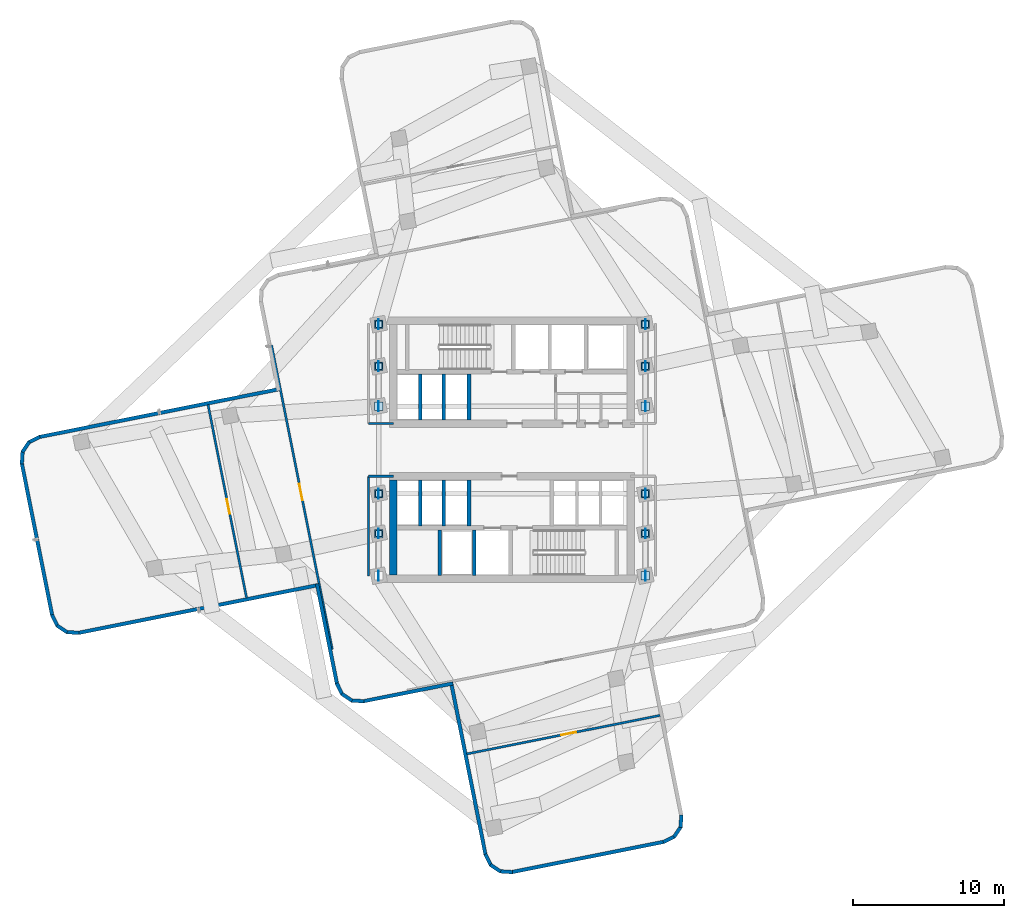
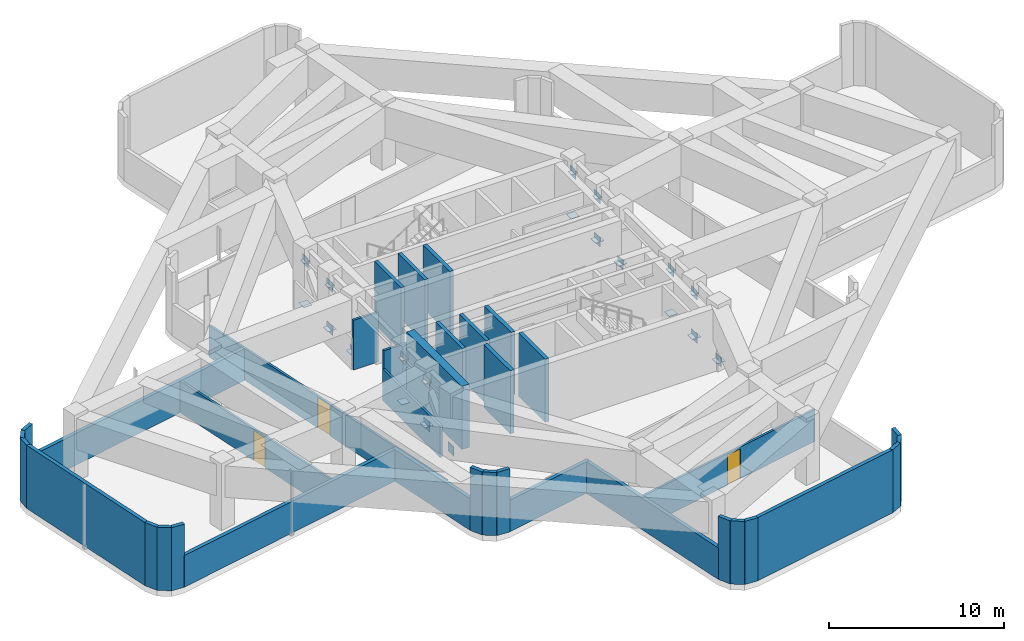
# One storey, part 3 of 7: 37 walls, 35 plates, 3 doors, 3 openings.
"""IFC4 building model written with IfcOpenShell, lengths in metres."""

from ifc_helpers import new_model, si_unit, direction, frame, frame_2d, origin, origin_2d, place, context, subcontext, project, spatial, rectangle, extrude, material, layer, layer_set, type_object, element, fill, save


model = new_model("IFC4")

# Units and contexts
model_context = context("Model", 3, precision=1e-05, world=origin(), true_north=direction((0.0, 1.0)))
body_context = subcontext(model_context, "Body", "Model", "MODEL_VIEW")
ifc_project = project(units=[si_unit("LENGTHUNIT", "METRE"), si_unit("AREAUNIT", "SQUARE_METRE"), si_unit("VOLUMEUNIT", "CUBIC_METRE"), si_unit("PLANEANGLEUNIT", "RADIAN"), si_unit("MASSUNIT", "GRAM", prefix="KILO")], contexts=[model_context])

# Site, building, storey
site_placement = place(None, origin())
site = spatial("IfcSite", under=ifc_project, at=site_placement, CompositionType="ELEMENT")
building_placement = place(site_placement, origin())
building = spatial("IfcBuilding", under=site, at=building_placement, Name="Solmarez Civic Tower", CompositionType="ELEMENT")
storey_placement = place(building_placement, frame((0.0, 0.0, 107.280029296875)))
storey = spatial("IfcBuildingStorey", under=building, at=storey_placement, Name="L28", CompositionType="ELEMENT", Elevation=107.280029296875)

# Plates
ifc_material_1 = material(Name="Steel S355", Category="steel")
ifc_layer_1 = layer(ifc_material_1, 0.02392578125)
ifc_layer_set_1 = layer_set([ifc_layer_1], Name="Steel S355")
plate_type_1 = type_object("IfcPlateType", Name="PLT-CAP-380", PredefinedType="USERDEFINED", material=ifc_layer_set_1)
for number, where, z_axis, x_axis, name in (
    (1, (-8.85009765625, -5.550048828125, 3.35791015625), (0.0, 0.0, 1.0), (1.0, 0.0, 0.0), "Steel Member End Cap Plate CAP-BRC-L28-01-1"),
    (2, (-8.85009765625, -2.89990234375, 3.35791015625), (0.0, 0.0, 1.0), (1.0, 0.0, 0.0), "Steel Member End Cap Plate CAP-BRC-L28-02-1"),
    (3, (-8.85009765625, 5.550048828125, 3.35791015625), (0.0, 0.0, 1.0), (1.0, 0.0, 0.0), "Steel Member End Cap Plate CAP-BRC-L28-03-1"),
    (4, (-8.85009765625, 8.35009765625, 3.35791015625), (0.0, 0.0, 1.0), (1.0, 0.0, 0.0), "Steel Member End Cap Plate CAP-BRC-L28-04-1"),
    (5, (8.85009765625, -5.550048828125, 3.35791015625), (0.0, 0.0, 1.0), (1.0, 0.0, 0.0), "Steel Member End Cap Plate CAP-BRC-L28-05-1"),
    (6, (8.85009765625, -2.89990234375, 3.35791015625), (0.0, 0.0, 1.0), (1.0, 0.0, 0.0), "Steel Member End Cap Plate CAP-BRC-L28-06-1"),
    (7, (8.85009765625, 5.550048828125, 3.35791015625), (0.0, 0.0, 1.0), (1.0, 0.0, 0.0), "Steel Member End Cap Plate CAP-BRC-L28-07-1"),
    (8, (8.85009765625, 8.35009765625, 3.35791015625), (0.0, 0.0, 1.0), (1.0, 0.0, 0.0), "Steel Member End Cap Plate CAP-BRC-L28-08-1"),
):
    element("IfcPlate", number, at=place(storey_placement, frame(where, z_axis=z_axis, x_axis=x_axis)), inside=storey, type_object=plate_type_1, Name=name, ObjectType="CAP_PLATE", PredefinedType="USERDEFINED", context=body_context, shape_type="SweptSolid", body=[
        extrude(rectangle(XDim=0.419921875, YDim=0.419921875, at=origin_2d()), origin(), (0.0, 0.0, 1.0), 0.02392578125),
    ])
ifc_layer_2 = layer(ifc_material_1, 0.028076171875)
ifc_layer_set_2 = layer_set([ifc_layer_2], Name="Steel S355")
plate_type_2 = type_object("IfcPlateType", Name="PLT-CAP-540", PredefinedType="USERDEFINED", material=ifc_layer_set_2)
for number, where, z_axis, x_axis, name in (
    (9, (-8.85009765625, -5.550048828125, 0.3359375), (0.0, 0.0, 1.0), (1.0, 0.0, 0.0), "Steel Member End Cap Plate CAP-CHD-L28-01-1"),
    (10, (-8.85009765625, -2.89990234375, 0.3359375), (0.0, 0.0, 1.0), (1.0, 0.0, 0.0), "Steel Member End Cap Plate CAP-CHD-L28-02-1"),
    (11, (-8.85009765625, 2.89990234375, 0.3359375), (0.0, 0.0, 1.0), (1.0, 0.0, 0.0), "Steel Member End Cap Plate CAP-CHD-L28-03-0"),
    (12, (-8.85009765625, 5.550048828125, 0.3359375), (0.0, 0.0, 1.0), (1.0, 0.0, 0.0), "Steel Member End Cap Plate CAP-CHD-L28-03-1"),
    (13, (-8.85009765625, 8.35009765625, 0.3359375), (0.0, 0.0, 1.0), (1.0, 0.0, 0.0), "Steel Member End Cap Plate CAP-CHD-L28-04-1"),
    (14, (8.85009765625, -8.35009765625, 0.3359375), (0.0, 0.0, 1.0), (1.0, 0.0, 0.0), "Steel Member End Cap Plate CAP-CHD-L28-05-0"),
    (15, (8.85009765625, -5.550048828125, 0.3359375), (0.0, 0.0, 1.0), (1.0, 0.0, 0.0), "Steel Member End Cap Plate CAP-CHD-L28-05-1"),
    (16, (8.85009765625, -2.89990234375, 0.3359375), (0.0, 0.0, 1.0), (1.0, 0.0, 0.0), "Steel Member End Cap Plate CAP-CHD-L28-06-1"),
    (17, (8.85009765625, 2.89990234375, 0.3359375), (0.0, 0.0, 1.0), (1.0, 0.0, 0.0), "Steel Member End Cap Plate CAP-CHD-L28-07-0"),
    (18, (8.85009765625, 5.550048828125, 0.3359375), (0.0, 0.0, 1.0), (1.0, 0.0, 0.0), "Steel Member End Cap Plate CAP-CHD-L28-07-1"),
    (19, (8.85009765625, 8.35009765625, 0.3359375), (0.0, 0.0, 1.0), (1.0, 0.0, 0.0), "Steel Member End Cap Plate CAP-CHD-L28-08-1"),
):
    element("IfcPlate", number, at=place(storey_placement, frame(where, z_axis=z_axis, x_axis=x_axis)), inside=storey, type_object=plate_type_2, Name=name, ObjectType="CAP_PLATE", PredefinedType="USERDEFINED", context=body_context, shape_type="SweptSolid", body=[
        extrude(rectangle(XDim=0.56005859375, YDim=0.56005859375, at=origin_2d()), origin(), (0.0, 0.0, 1.0), 0.028076171875),
    ])
ifc_layer_3 = layer(ifc_material_1, 0.031982421875)
ifc_layer_set_3 = layer_set([ifc_layer_3], Name="Steel S355")
plate_type_3 = type_object("IfcPlateType", Name="PLT-GUSSET-32", PredefinedType="USERDEFINED", material=ifc_layer_set_3)
for number, where, z_axis, x_axis, name in (
    (20, (-8.85009765625, -8.35009765625, 0.02490234375), (0.0, 0.0, 1.0), (0.0, 1.0, 0.0), "L28 Structural Gusset Plate GUS-L28-01-0"),
    (21, (-8.85009765625, -5.550048828125, 3.044921875), (0.0, 0.0, 1.0), (0.0, 1.0, 0.0), "L28 Structural Gusset Plate GUS-L28-01-1"),
    (22, (-8.85009765625, -5.550048828125, 0.02490234375), (0.0, 0.0, 1.0), (0.0, 1.0, 0.0), "L28 Structural Gusset Plate GUS-L28-02-0"),
    (23, (-8.85009765625, -2.89990234375, 3.044921875), (0.0, 0.0, 1.0), (0.0, 1.0, 0.0), "L28 Structural Gusset Plate GUS-L28-02-1"),
    (24, (-8.85009765625, 2.89990234375, 0.02490234375), (0.0, 0.0, 1.0), (0.0, 1.0, 0.0), "L28 Structural Gusset Plate GUS-L28-03-0"),
    (25, (-8.85009765625, 5.550048828125, 3.044921875), (0.0, 0.0, 1.0), (0.0, 1.0, 0.0), "L28 Structural Gusset Plate GUS-L28-03-1"),
    (26, (-8.85009765625, 5.550048828125, 0.02490234375), (0.0, 0.0, 1.0), (0.0, 1.0, 0.0), "L28 Structural Gusset Plate GUS-L28-04-0"),
    (27, (-8.85009765625, 8.35009765625, 3.044921875), (0.0, 0.0, 1.0), (0.0, 1.0, 0.0), "L28 Structural Gusset Plate GUS-L28-04-1"),
    (28, (8.85009765625, -8.35009765625, 0.02490234375), (0.0, 0.0, 1.0), (0.0, 1.0, 0.0), "L28 Structural Gusset Plate GUS-L28-05-0"),
    (29, (8.85009765625, -5.550048828125, 3.044921875), (0.0, 0.0, 1.0), (0.0, 1.0, 0.0), "L28 Structural Gusset Plate GUS-L28-05-1"),
    (30, (8.85009765625, -5.550048828125, 0.02490234375), (0.0, 0.0, 1.0), (0.0, 1.0, 0.0), "L28 Structural Gusset Plate GUS-L28-06-0"),
    (31, (8.85009765625, -2.89990234375, 3.044921875), (0.0, 0.0, 1.0), (0.0, 1.0, 0.0), "L28 Structural Gusset Plate GUS-L28-06-1"),
    (32, (8.85009765625, 2.89990234375, 0.02490234375), (0.0, 0.0, 1.0), (0.0, 1.0, 0.0), "L28 Structural Gusset Plate GUS-L28-07-0"),
    (33, (8.85009765625, 5.550048828125, 3.044921875), (0.0, 0.0, 1.0), (0.0, 1.0, 0.0), "L28 Structural Gusset Plate GUS-L28-07-1"),
    (34, (8.85009765625, 5.550048828125, 0.02490234375), (0.0, 0.0, 1.0), (0.0, 1.0, 0.0), "L28 Structural Gusset Plate GUS-L28-08-0"),
    (35, (8.85009765625, 8.35009765625, 3.044921875), (0.0, 0.0, 1.0), (0.0, 1.0, 0.0), "L28 Structural Gusset Plate GUS-L28-08-1"),
):
    element("IfcPlate", number, at=place(storey_placement, frame(where, z_axis=z_axis, x_axis=x_axis)), inside=storey, type_object=plate_type_3, Name=name, ObjectType="GUSSET_PLATE", PredefinedType="USERDEFINED", context=body_context, shape_type="SweptSolid", body=[
        extrude(rectangle(XDim=0.64990234375, YDim=0.031982421875, at=origin_2d()), origin(), (0.0, 0.0, 1.0), 0.64990234375),
    ])

# Walls
ifc_material_2 = material(Name="Concrete C60/75", Category="concrete")
ifc_layer_4 = layer(ifc_material_2, 0.5)
ifc_layer_set_4 = layer_set([ifc_layer_4], Name="Concrete C60/75")
wall_type_1 = type_object("IfcWallType", Name="WALL-CORE-500", PredefinedType="SHEAR", material=ifc_layer_set_4)
wall_1_placement = place(storey_placement, frame((-7.8701171875, -8.31005859375, 0.0), z_axis=(0.0, 0.0, 1.0), x_axis=(0.0, 1.0, 0.0)))
element("IfcWall", 36, at=wall_1_placement, inside=storey, type_object=wall_type_1, Name="L28 Split-Core Structural Wall SCW-W-L28", PredefinedType="SHEAR", context=body_context, shape_type="SweptSolid", body=[
    extrude(rectangle(XDim=6.31005859375, YDim=0.5, at=frame_2d((3.155029296875, 0.0))), origin(), (0.0, 0.0, 1.0), 4.419921875),
])
ifc_material_3 = material(Name="Precast concrete C40/50", Category="concrete")
ifc_layer_5 = layer(ifc_material_3, 0.239990234375)
ifc_layer_set_5 = layer_set([ifc_layer_5], Name="Precast concrete C40/50")
wall_type_2 = type_object("IfcWallType", Name="WALL-EXT-240", PredefinedType="SOLIDWALL", material=ifc_layer_set_5)
wall_2_placement = place(storey_placement, frame((-12.8291015625, -8.9619140625, 0.0), z_axis=(0.0, 0.0, 1.0), x_axis=(-0.980676331544, -0.195637247858, 0.0)))
element("IfcWall", 37, at=wall_2_placement, inside=storey, type_object=wall_type_2, Name="L28 Exterior Precast Wall 2", PredefinedType="SOLIDWALL", context=body_context, shape_type="SweptSolid", body=[
    extrude(rectangle(XDim=16.275390625, YDim=0.239990234375, at=frame_2d((8.1376953125, 0.0))), origin(), (0.0, 0.0, 1.0), 2.2119140625),
])
wall_3_placement = place(storey_placement, frame((-28.739990234375, -12.14306640625, 0.0), z_axis=(0.0, 0.0, 1.0), x_axis=(-0.997792951373, 0.06640200442, 0.0)))
element("IfcWall", 38, at=wall_3_placement, inside=storey, type_object=wall_type_2, Name="L28 Exterior Precast Wall 3", PredefinedType="SOLIDWALL", context=body_context, shape_type="SweptSolid", body=[
    extrude(rectangle(XDim=0.8310546875, YDim=0.239990234375, at=frame_2d((0.41552734375, 0.0))), origin(), (0.0, 0.0, 1.0), 4.419921875),
])
wall_4_placement = place(storey_placement, frame((-29.52294921875, -12.10400390625, 0.0), z_axis=(0.0, 0.0, 1.0), x_axis=(-0.831727143475, 0.555184616867, 0.0)))
element("IfcWall", 39, at=wall_4_placement, inside=storey, type_object=wall_type_2, Name="L28 Exterior Precast Wall 4", PredefinedType="SOLIDWALL", context=body_context, shape_type="SweptSolid", body=[
    extrude(rectangle(XDim=0.81396484375, YDim=0.239990234375, at=frame_2d((0.406982421875, 0.0))), origin(), (0.0, 0.0, 1.0), 4.419921875),
])
wall_5_placement = place(storey_placement, frame((-30.16796875, -11.68798828125, 0.0), z_axis=(0.0, 0.0, 1.0), x_axis=(-0.443794266413, 0.896128701191, 0.0)))
element("IfcWall", 40, at=wall_5_placement, inside=storey, type_object=wall_type_2, Name="L28 Exterior Precast Wall 5", PredefinedType="SOLIDWALL", context=body_context, shape_type="SweptSolid", body=[
    extrude(rectangle(XDim=0.8291015625, YDim=0.239990234375, at=frame_2d((0.41455078125, 0.0))), origin(), (0.0, 0.0, 1.0), 4.419921875),
])
wall_6_placement = place(storey_placement, frame((-30.52001953125, -10.991943359375, 0.0), z_axis=(0.0, 0.0, 1.0), x_axis=(-0.195565576703, 0.980690626655, 0.0)))
element("IfcWall", 41, at=wall_6_placement, inside=storey, type_object=wall_type_2, Name="L28 Exterior Precast Wall 6", PredefinedType="SOLIDWALL", context=body_context, shape_type="SweptSolid", body=[
    extrude(rectangle(XDim=10.319091796875, YDim=0.239990234375, at=frame_2d((5.15966796875, 0.0))), origin(), (0.0, 0.0, 1.0), 4.419921875),
])
wall_7_placement = place(storey_placement, frame((-32.534912109375, -0.922119140625, 0.0), z_axis=(0.0, 0.0, 1.0), x_axis=(0.066109477186, 0.997812375663, 0.0)))
element("IfcWall", 42, at=wall_7_placement, inside=storey, type_object=wall_type_2, Name="L28 Exterior Precast Wall 7", PredefinedType="SOLIDWALL", context=body_context, shape_type="SweptSolid", body=[
    extrude(rectangle(XDim=0.830810546875, YDim=0.239990234375, at=frame_2d((0.41552734375, 0.0))), origin(), (0.0, 0.0, 1.0), 4.419921875),
])
wall_8_placement = place(storey_placement, frame((-32.49609375, -0.138916015625, 0.0), z_axis=(0.0, 0.0, 1.0), x_axis=(0.555392052936, 0.831588640817, 0.0)))
element("IfcWall", 43, at=wall_8_placement, inside=storey, type_object=wall_type_2, Name="L28 Exterior Precast Wall 8", PredefinedType="SOLIDWALL", context=body_context, shape_type="SweptSolid", body=[
    extrude(rectangle(XDim=0.814208984375, YDim=0.239990234375, at=frame_2d((0.4072265625, 0.0))), origin(), (0.0, 0.0, 1.0), 4.419921875),
])
wall_9_placement = place(storey_placement, frame((-32.080078125, 0.506103515625, 0.0), z_axis=(0.0, 0.0, 1.0), x_axis=(0.896186678749, 0.443677176371, 0.0)))
element("IfcWall", 44, at=wall_9_placement, inside=storey, type_object=wall_type_2, Name="L28 Exterior Precast Wall 9", PredefinedType="SOLIDWALL", context=body_context, shape_type="SweptSolid", body=[
    extrude(rectangle(XDim=0.829345703125, YDim=0.239990234375, at=frame_2d((0.41455078125, 0.0))), origin(), (0.0, 0.0, 1.0), 4.419921875),
])
wall_10_placement = place(storey_placement, frame((-31.384033203125, 0.85791015625, 0.0), z_axis=(0.0, 0.0, 1.0), x_axis=(0.980678627862, 0.195625736687, 0.0)))
element("IfcWall", 45, at=wall_10_placement, inside=storey, type_object=wall_type_2, Name="L28 Exterior Precast Wall 10", PredefinedType="SOLIDWALL", context=body_context, shape_type="SweptSolid", body=[
    extrude(rectangle(XDim=16.2763671875, YDim=0.239990234375, at=frame_2d((8.13818359375, 0.0))), origin(), (0.0, 0.0, 1.0), 2.2119140625),
])
wall_11_placement = place(storey_placement, frame((11.242919921875, -24.22900390625, 0.0), z_axis=(0.0, 0.0, 1.0), x_axis=(-0.06503454612, -0.997883013089, 0.0)))
element("IfcWall", 46, at=wall_11_placement, inside=storey, type_object=wall_type_2, Name="L28 Exterior Precast Wall 57", PredefinedType="SOLIDWALL", context=body_context, shape_type="SweptSolid", body=[
    extrude(rectangle(XDim=0.82958984375, YDim=0.239990234375, at=frame_2d((0.414794921875, 0.0))), origin(), (0.0, 0.0, 1.0), 4.419921875),
])
wall_12_placement = place(storey_placement, frame((11.205078125, -25.010986328125, 0.0), z_axis=(0.0, 0.0, 1.0), x_axis=(-0.55483846032, -0.831958101679, 0.0)))
element("IfcWall", 47, at=wall_12_placement, inside=storey, type_object=wall_type_2, Name="L28 Exterior Precast Wall 58", PredefinedType="SOLIDWALL", context=body_context, shape_type="SweptSolid", body=[
    extrude(rectangle(XDim=0.81494140625, YDim=0.239990234375, at=frame_2d((0.407470703125, 0.0))), origin(), (0.0, 0.0, 1.0), 4.419921875),
])
wall_13_placement = place(storey_placement, frame((10.7890625, -25.656982421875, 0.0), z_axis=(0.0, 0.0, 1.0), x_axis=(-0.896885260774, -0.442263302803, 0.0)))
element("IfcWall", 48, at=wall_13_placement, inside=storey, type_object=wall_type_2, Name="L28 Exterior Precast Wall 59", PredefinedType="SOLIDWALL", context=body_context, shape_type="SweptSolid", body=[
    extrude(rectangle(XDim=0.82958984375, YDim=0.239990234375, at=frame_2d((0.414794921875, 0.0))), origin(), (0.0, 0.0, 1.0), 4.419921875),
])
wall_14_placement = place(storey_placement, frame((10.092041015625, -26.008056640625, 0.0), z_axis=(0.0, 0.0, 1.0), x_axis=(-0.980673378221, -0.195652051479, 0.0)))
element("IfcWall", 49, at=wall_14_placement, inside=storey, type_object=wall_type_2, Name="L28 Exterior Precast Wall 60", PredefinedType="SOLIDWALL", context=body_context, shape_type="SweptSolid", body=[
    extrude(rectangle(XDim=10.319580078125, YDim=0.239990234375, at=frame_2d((5.15966796875, 0.0))), origin(), (0.0, 0.0, 1.0), 4.419921875),
])
wall_15_placement = place(storey_placement, frame((0.02197265625, -28.02392578125, 0.0), z_axis=(0.0, 0.0, 1.0), x_axis=(-0.997811090969, 0.066128864644, 0.0)))
element("IfcWall", 50, at=wall_15_placement, inside=storey, type_object=wall_type_2, Name="L28 Exterior Precast Wall 61", PredefinedType="SOLIDWALL", context=body_context, shape_type="SweptSolid", body=[
    extrude(rectangle(XDim=0.83056640625, YDim=0.239990234375, at=frame_2d((0.415283203125, 0.0))), origin(), (0.0, 0.0, 1.0), 4.419921875),
])
wall_16_placement = place(storey_placement, frame((-0.760986328125, -27.985107421875, 0.0), z_axis=(0.0, 0.0, 1.0), x_axis=(-0.831588640817, 0.555392052936, 0.0)))
element("IfcWall", 51, at=wall_16_placement, inside=storey, type_object=wall_type_2, Name="L28 Exterior Precast Wall 62", PredefinedType="SOLIDWALL", context=body_context, shape_type="SweptSolid", body=[
    extrude(rectangle(XDim=0.814208984375, YDim=0.239990234375, at=frame_2d((0.4072265625, 0.0))), origin(), (0.0, 0.0, 1.0), 4.419921875),
])
wall_17_placement = place(storey_placement, frame((-1.406005859375, -27.569091796875, 0.0), z_axis=(0.0, 0.0, 1.0), x_axis=(-0.443677176371, 0.896186678749, 0.0)))
element("IfcWall", 52, at=wall_17_placement, inside=storey, type_object=wall_type_2, Name="L28 Exterior Precast Wall 63", PredefinedType="SOLIDWALL", context=body_context, shape_type="SweptSolid", body=[
    extrude(rectangle(XDim=0.829345703125, YDim=0.239990234375, at=frame_2d((0.41455078125, 0.0))), origin(), (0.0, 0.0, 1.0), 4.419921875),
])
wall_18_placement = place(storey_placement, frame((-1.758056640625, -26.873046875, 0.0), z_axis=(0.0, 0.0, 1.0), x_axis=(-0.195601431005, 0.980683476046, 0.0)))
element("IfcWall", 53, at=wall_18_placement, inside=storey, type_object=wall_type_2, Name="L28 Exterior Precast Wall 64", PredefinedType="SOLIDWALL", context=body_context, shape_type="SweptSolid", body=[
    extrude(rectangle(XDim=11.676513671875, YDim=0.239990234375, at=frame_2d((5.83837890625, 0.0))), origin(), (0.0, 0.0, 1.0), 2.2119140625),
])
wall_19_placement = place(storey_placement, frame((-3.928955078125, -15.4970703125, 0.0), z_axis=(0.0, 0.0, 1.0), x_axis=(-0.98066404714, -0.19569881616, 0.0)))
element("IfcWall", 54, at=wall_19_placement, inside=storey, type_object=wall_type_2, Name="L28 Exterior Precast Wall 67", PredefinedType="SOLIDWALL", context=body_context, shape_type="SweptSolid", body=[
    extrude(rectangle(XDim=6.075439453125, YDim=0.239990234375, at=frame_2d((3.03759765625, 0.0))), origin(), (0.0, 0.0, 1.0), 2.2119140625),
])
wall_20_placement = place(storey_placement, frame((-9.8369140625, -16.68310546875, 0.0), z_axis=(0.0, 0.0, 1.0), x_axis=(-0.997865128267, 0.065308389881, 0.0)))
element("IfcWall", 55, at=wall_20_placement, inside=storey, type_object=wall_type_2, Name="L28 Exterior Precast Wall 68", PredefinedType="SOLIDWALL", context=body_context, shape_type="SweptSolid", body=[
    extrude(rectangle(XDim=0.829833984375, YDim=0.239990234375, at=frame_2d((0.4150390625, 0.0))), origin(), (0.0, 0.0, 1.0), 4.419921875),
])
wall_21_placement = place(storey_placement, frame((-10.618896484375, -16.64501953125, 0.0), z_axis=(0.0, 0.0, 1.0), x_axis=(-0.832188528756, 0.554492788598, 0.0)))
element("IfcWall", 56, at=wall_21_placement, inside=storey, type_object=wall_type_2, Name="L28 Exterior Precast Wall 69", PredefinedType="SOLIDWALL", context=body_context, shape_type="SweptSolid", body=[
    extrude(rectangle(XDim=0.81494140625, YDim=0.239990234375, at=frame_2d((0.407470703125, 0.0))), origin(), (0.0, 0.0, 1.0), 4.419921875),
])
wall_22_placement = place(storey_placement, frame((-11.264892578125, -16.22900390625, 0.0), z_axis=(0.0, 0.0, 1.0), x_axis=(-0.442616732824, 0.896710894226, 0.0)))
element("IfcWall", 57, at=wall_22_placement, inside=storey, type_object=wall_type_2, Name="L28 Exterior Precast Wall 70", PredefinedType="SOLIDWALL", context=body_context, shape_type="SweptSolid", body=[
    extrude(rectangle(XDim=0.82958984375, YDim=0.239990234375, at=frame_2d((0.414794921875, 0.0))), origin(), (0.0, 0.0, 1.0), 4.419921875),
])
wall_23_placement = place(storey_placement, frame((-11.615966796875, -15.531982421875, 0.0), z_axis=(0.0, 0.0, 1.0), x_axis=(-0.195679596911, 0.980667882289, 0.0)))
element("IfcWall", 58, at=wall_23_placement, inside=storey, type_object=wall_type_2, Name="L28 Exterior Precast Wall 71", PredefinedType="SOLIDWALL", context=body_context, shape_type="SweptSolid", body=[
    extrude(rectangle(XDim=6.776123046875, YDim=0.239990234375, at=frame_2d((3.38818359375, 0.0))), origin(), (0.0, 0.0, 1.0), 2.2119140625),
])
ifc_material_4 = material(Name="Gypsum Board Acoustic Steel-Stud Partition", Category="steel")
ifc_layer_6 = layer(ifc_material_4, 0.14990234375)
ifc_layer_set_6 = layer_set([ifc_layer_6], Name="Gypsum Board Acoustic Steel-Stud Partition")
wall_type_3 = type_object("IfcWallType", Name="WALL-INT-FIRE-150", PredefinedType="PARTITIONING", material=ifc_layer_set_6)
wall_24_placement = place(storey_placement, frame((-7.85009765625, 1.75, 0.0), z_axis=(0.0, 0.0, 1.0), x_axis=(-1.0, 0.0, 0.0)))
element("IfcWall", 59, at=wall_24_placement, inside=storey, type_object=wall_type_3, Name="L28 Interior Partition CHW-L28-WN3", PredefinedType="PARTITIONING", context=body_context, shape_type="SweptSolid", body=[
    extrude(rectangle(XDim=1.669921875, YDim=0.14990234375, at=frame_2d((0.8349609375, 0.0))), origin(), (0.0, 0.0, 1.0), 3.48486328125),
])
wall_25_placement = place(storey_placement, frame((-9.52001953125, -8.3798828125, 0.0), z_axis=(0.0, 0.0, 1.0), x_axis=(0.0, 1.0, 0.0)))
element("IfcWall", 60, at=wall_25_placement, inside=storey, type_object=wall_type_3, Name="L28 Interior Partition CHW-L28-WS1", PredefinedType="PARTITIONING", context=body_context, shape_type="SweptSolid", body=[
    extrude(rectangle(XDim=6.6298828125, YDim=0.14990234375, at=frame_2d((3.31494140625, 0.0))), origin(), (0.0, 0.0, 1.0), 2.2119140625),
])
wall_26_placement = place(storey_placement, frame((-7.85009765625, -1.75, 0.0), z_axis=(0.0, 0.0, 1.0), x_axis=(-1.0, 0.0, 0.0)))
element("IfcWall", 61, at=wall_26_placement, inside=storey, type_object=wall_type_3, Name="L28 Interior Partition CHW-L28-WS3", PredefinedType="PARTITIONING", context=body_context, shape_type="SweptSolid", body=[
    extrude(rectangle(XDim=1.669921875, YDim=0.14990234375, at=frame_2d((0.8349609375, 0.0))), origin(), (0.0, 0.0, 1.0), 3.48486328125),
])

# Wall, opening, door
wall_27_placement = place(storey_placement, frame((9.8310546875, -17.616943359375, 0.0), z_axis=(0.0, 0.0, 1.0), x_axis=(-0.980674534157, -0.195646257456, 0.0)))
wall_27 = element("IfcWall", 62, at=wall_27_placement, inside=storey, type_object=wall_type_3, Name="L28 Interior Partition PT-L28-S-MID", PredefinedType="PARTITIONING", context=body_context, shape_type="SweptSolid", body=[
    extrude(rectangle(XDim=13.090087890625, YDim=0.14990234375, at=frame_2d((6.544921875, 0.0))), origin(), (0.0, 0.0, 1.0), 2.2119140625),
])
opening_1_placement = place(wall_27_placement, frame((5.695068359375, 0.0, 0.0)))
opening_1 = element("IfcOpeningElement", 63, at=opening_1_placement, cuts=wall_27, Name="Opening D-04", PredefinedType="OPENING", context=body_context, shape_type="SweptSolid", body=[
    extrude(rectangle(XDim=1.0, YDim=2.10009765625, at=frame_2d((0.5, 1.050048828125))), frame((0.0, 0.0849609375, 0.0), z_axis=(0.0, -1.0, 0.0), x_axis=(1.0, 0.0, 0.0)), (0.0, 0.0, 1.0), 0.169921875),
])
ifc_material_5 = material(Name="Steel-Faced Acoustic Fire Door", Category="steel")
door_type_1 = type_object("IfcDoorType", Name="DOOR-FD60-1000", OperationType="NOTDEFINED", PredefinedType="DOOR", material=ifc_material_5)
door_1_placement = place(opening_1_placement, origin())
door_1 = element("IfcDoor", 64, at=door_1_placement, inside=storey, type_object=door_type_1, Name="L28 Belt Truss Mechanical Plant Room Door", OperationType="SINGLE_SWING_RIGHT", OverallHeight=2.10009765625, OverallWidth=1.0, PredefinedType="DOOR", context=body_context, shape_type="SweptSolid", body=[
    extrude(rectangle(XDim=1.0, YDim=2.10009765625, at=frame_2d((0.5, 1.050048828125))), frame((0.0, 0.02490234375, 0.0), z_axis=(0.0, -1.0, 0.0), x_axis=(1.0, 0.0, 0.0)), (0.0, 0.0, 1.0), 0.050048828125),
])
fill(opening_1, door_1)

wall_28_placement = place(storey_placement, frame((-11.930908203125, -13.239990234375, 0.0), z_axis=(0.0, 0.0, 1.0), x_axis=(-0.19557824927, 0.980688099455, 0.0)))
wall_28 = element("IfcWall", 65, at=wall_28_placement, inside=storey, type_object=wall_type_3, Name="L28 Interior Partition PT-L28-W-ENT", PredefinedType="PARTITIONING", context=body_context, shape_type="SweptSolid", body=[
    extrude(rectangle(XDim=20.600830078125, YDim=0.14990234375, at=frame_2d((10.30029296875, 0.0))), origin(), (0.0, 0.0, 1.0), 2.2119140625),
])
opening_2_placement = place(wall_28_placement, frame((10.10009765625, 0.0, 0.0)))
opening_2 = element("IfcOpeningElement", 66, at=opening_2_placement, cuts=wall_28, Name="Opening D-07", PredefinedType="OPENING", context=body_context, shape_type="SweptSolid", body=[
    extrude(rectangle(XDim=1.10009765625, YDim=2.14990234375, at=frame_2d((0.550048828125, 1.074951171875))), frame((0.0, 0.0849609375, 0.0), z_axis=(0.0, -1.0, 0.0), x_axis=(1.0, 0.0, 0.0)), (0.0, 0.0, 1.0), 0.169921875),
])
ifc_material_6 = material(Name="Heavy-Duty Fire Exit Door", Category="wood")
door_type_2 = type_object("IfcDoorType", Name="DOOR-FD90-1100", OperationType="NOTDEFINED", PredefinedType="DOOR", material=ifc_material_6)
door_2_placement = place(opening_2_placement, origin())
door_2 = element("IfcDoor", 67, at=door_2_placement, inside=storey, type_object=door_type_2, Name="L28 Booster Pump and Water Tank Plant Room Door", OperationType="SINGLE_SWING_RIGHT", OverallHeight=2.14990234375, OverallWidth=1.10009765625, PredefinedType="DOOR", context=body_context, shape_type="SweptSolid", body=[
    extrude(rectangle(XDim=1.10009765625, YDim=2.14990234375, at=frame_2d((0.550048828125, 1.074951171875))), frame((0.0, 0.02490234375, 0.0), z_axis=(0.0, -1.0, 0.0), x_axis=(1.0, 0.0, 0.0)), (0.0, 0.0, 1.0), 0.050048828125),
])
fill(opening_2, door_2)

wall_29_placement = place(storey_placement, frame((-17.616943359375, -9.8310546875, 0.0), z_axis=(0.0, 0.0, 1.0), x_axis=(-0.195646257456, 0.980674534157, 0.0)))
wall_29 = element("IfcWall", 68, at=wall_29_placement, inside=storey, type_object=wall_type_3, Name="L28 Interior Partition PT-L28-W-MID", PredefinedType="PARTITIONING", context=body_context, shape_type="SweptSolid", body=[
    extrude(rectangle(XDim=13.090087890625, YDim=0.14990234375, at=frame_2d((6.544921875, 0.0))), origin(), (0.0, 0.0, 1.0), 2.2119140625),
])
opening_3_placement = place(wall_29_placement, frame((5.695068359375, 0.0, 0.0)))
opening_3 = element("IfcOpeningElement", 69, at=opening_3_placement, cuts=wall_29, Name="Opening D-04", PredefinedType="OPENING", context=body_context, shape_type="SweptSolid", body=[
    extrude(rectangle(XDim=1.0, YDim=2.10009765625, at=frame_2d((0.5, 1.050048828125))), frame((0.0, 0.0849609375, 0.0), z_axis=(0.0, -1.0, 0.0), x_axis=(1.0, 0.0, 0.0)), (0.0, 0.0, 1.0), 0.169921875),
])
door_3_placement = place(opening_3_placement, origin())
door_3 = element("IfcDoor", 70, at=door_3_placement, inside=storey, type_object=door_type_1, Name="L28 Belt Truss Mechanical Plant Room Door", OperationType="SINGLE_SWING_RIGHT", OverallHeight=2.10009765625, OverallWidth=1.0, PredefinedType="DOOR", context=body_context, shape_type="SweptSolid", body=[
    extrude(rectangle(XDim=1.0, YDim=2.10009765625, at=frame_2d((0.5, 1.050048828125))), frame((0.0, 0.02490234375, 0.0), z_axis=(0.0, -1.0, 0.0), x_axis=(1.0, 0.0, 0.0)), (0.0, 0.0, 1.0), 0.050048828125),
])
fill(opening_3, door_3)

# Walls
ifc_material_7 = material(Name="Concrete C50/60", Category="concrete")
ifc_layer_7 = layer(ifc_material_7, 0.300048828125)
ifc_layer_set_7 = layer_set([ifc_layer_7], Name="Concrete C50/60")
wall_type_4 = type_object("IfcWallType", Name="WALL-STR-300", PredefinedType="SOLIDWALL", material=ifc_layer_set_7)
wall_30_placement = place(storey_placement, frame((-2.85009765625, 1.97998046875, 0.0), z_axis=(0.0, 0.0, 1.0), x_axis=(0.0, 1.0, 0.0)))
element("IfcWall", 71, at=wall_30_placement, inside=storey, type_object=wall_type_4, Name="L28 Split-Core Structural Wall SHW-NL1-L28", PredefinedType="SOLIDWALL", context=body_context, shape_type="SweptSolid", body=[
    extrude(rectangle(XDim=3.070068359375, YDim=0.25, at=frame_2d((1.53515625, 0.0))), origin(), (0.0, 0.0, 1.0), 4.419921875),
])
for number, where, z_axis, x_axis, name in (
    (72, (-2.5, -8.340087890625, 0.0), (0.0, 0.0, 1.0), (0.0, 1.0, 0.0), "L28 Split-Core Structural Wall SHW-S2-L28"),
    (73, (-4.800048828125, -8.340087890625, 0.0), (0.0, 0.0, 1.0), (0.0, 1.0, 0.0), "L28 Split-Core Structural Wall SHW-S3-L28"),
):
    element("IfcWall", number, at=place(storey_placement, frame(where, z_axis=z_axis, x_axis=x_axis)), inside=storey, type_object=wall_type_4, Name=name, PredefinedType="SOLIDWALL", context=body_context, shape_type="SweptSolid", body=[
        extrude(rectangle(XDim=3.0400390625, YDim=0.25, at=frame_2d((1.52001953125, 0.0))), origin(), (0.0, 0.0, 1.0), 4.419921875),
    ])
wall_31_placement = place(storey_placement, frame((-2.85009765625, -5.050048828125, 0.0), z_axis=(0.0, 0.0, 1.0), x_axis=(0.0, 1.0, 0.0)))
element("IfcWall", 74, at=wall_31_placement, inside=storey, type_object=wall_type_4, Name="L28 Split-Core Structural Wall SHW-SL1-L28", PredefinedType="SOLIDWALL", context=body_context, shape_type="SweptSolid", body=[
    extrude(rectangle(XDim=3.070068359375, YDim=0.25, at=frame_2d((1.53515625, 0.0))), origin(), (0.0, 0.0, 1.0), 4.419921875),
])
for number, where, z_axis, x_axis, name in (
    (75, (-6.080078125, 1.97998046875, 0.0), (0.0, 0.0, 1.0), (0.0, 1.0, 0.0), "L28 Split-Core Structural Wall SHW-PLH-L28-1"),
    (76, (-4.52001953125, 1.97998046875, 0.0), (0.0, 0.0, 1.0), (0.0, 1.0, 0.0), "L28 Split-Core Structural Wall SHW-PLH-L28-2"),
    (77, (-6.080078125, -5.050048828125, 0.0), (0.0, 0.0, 1.0), (0.0, 1.0, 0.0), "L28 Split-Core Structural Wall SHW-PLM-L28-1"),
    (78, (-4.52001953125, -5.050048828125, 0.0), (0.0, 0.0, 1.0), (0.0, 1.0, 0.0), "L28 Split-Core Structural Wall SHW-PLM-L28-2"),
):
    element("IfcWall", number, at=place(storey_placement, frame(where, z_axis=z_axis, x_axis=x_axis)), inside=storey, type_object=wall_type_4, Name=name, PredefinedType="SOLIDWALL", context=body_context, shape_type="SweptSolid", body=[
        extrude(rectangle(XDim=3.070068359375, YDim=0.219970703125, at=frame_2d((1.53515625, 0.0))), origin(), (0.0, 0.0, 1.0), 4.419921875),
    ])

save(model, "model.ifc")
